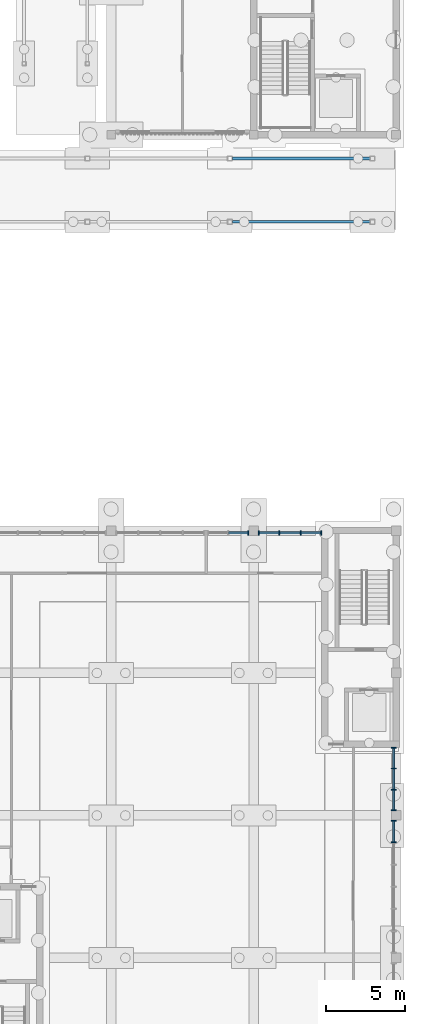
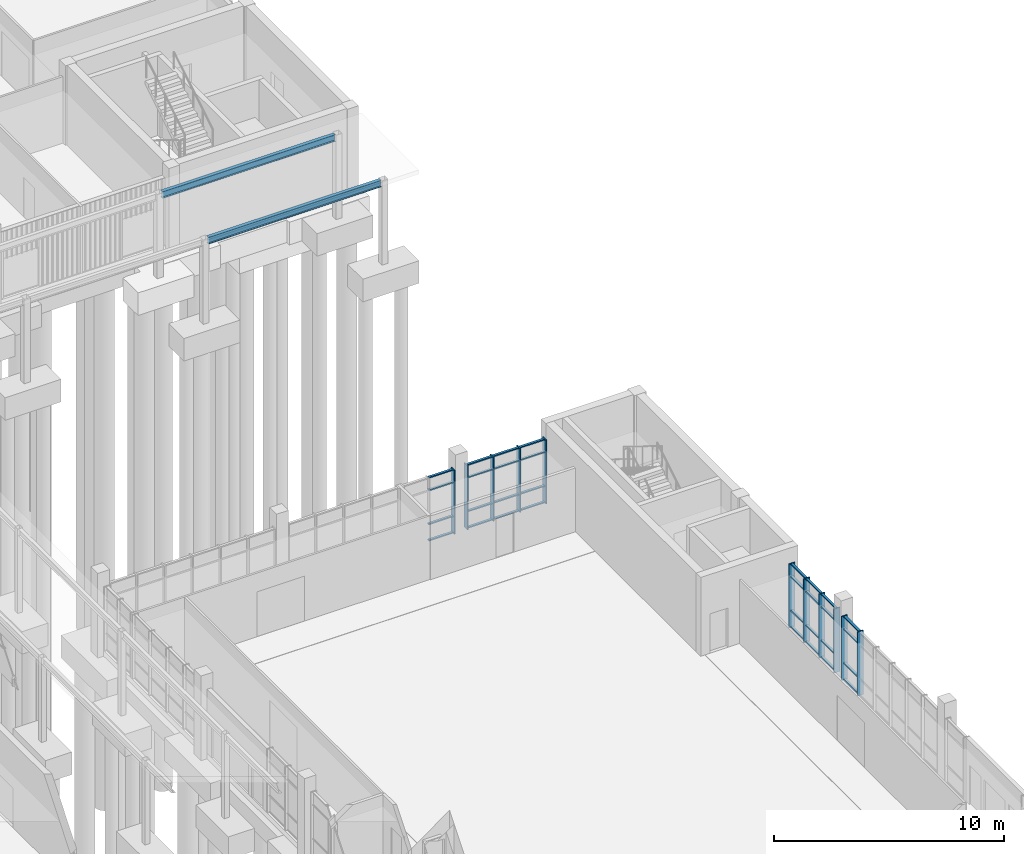
# One storey, part 37 of 106: 43 members, 2 beams, 4 elements without a shape of their own.
"""IFC4 building model written with IfcOpenShell, lengths in metres."""

import ifcopenshell
import ifcopenshell.guid

model = None  # the IFC model being written
_history = None  # IfcOwnerHistory: only IFC2X3 demands one
_inside = {}  # id of a spatial element -> (the spatial element, [elements in it])
_under = {}  # id of a project, library or spatial element -> (it, [spatial elements below it])
_declared = {}  # id of a project -> (the project, [libraries it declares])
_typed = {}  # id of a type object -> (the type object, [elements of that type])
_made_of = {}  # id of a material, layer set ... -> (it, [elements and type objects made of it])


def new_model(schema):
    """Start an empty IFC model of exactly this schema.

    Asked for "IFC4X3", IfcOpenShell would pick the latest addendum, in which some entities
    have other attributes; the version numbers below select the first issue.
    IFC2X3 requires an IfcOwnerHistory on every rooted entity: one is made here for all.
    """
    global model, _history
    if schema == "IFC4X3":
        model = ifcopenshell.file(schema_version=(4, 3, 0, 0))
    else:
        model = ifcopenshell.file(schema=schema)
    _inside.clear()
    _under.clear()
    _declared.clear()
    _typed.clear()
    _made_of.clear()
    _history = None
    if model.schema == "IFC2X3":
        org = make("IfcOrganization", Name="unknown")
        user = make(
            "IfcPersonAndOrganization",
            ThePerson=make("IfcPerson", FamilyName="unknown"),
            TheOrganization=org,
        )
        app = make(
            "IfcApplication",
            ApplicationDeveloper=org,
            Version="unknown",
            ApplicationFullName="unknown",
            ApplicationIdentifier="unknown",
        )
        _history = make(
            "IfcOwnerHistory",
            OwningUser=user,
            OwningApplication=app,
            ChangeAction="ADDED",
            CreationDate=0,
        )
    return model


def make(cls, **values):
    """One entity of the class cls with the attributes given. An attribute that is None is left unset."""
    return model.create_entity(
        cls, **{name: value for name, value in values.items() if value is not None}
    )


def rooted(cls, **values):
    """An entity with a GlobalId (a new one), such as an element, a storey or a relation."""
    return make(cls, GlobalId=ifcopenshell.guid.new(), OwnerHistory=_history, **values)


def si_unit(unit_type, name, prefix=None):
    """IfcSIUnit, for example si_unit("LENGTHUNIT", "METRE", prefix="MILLI")."""
    return make("IfcSIUnit", UnitType=unit_type, Prefix=prefix, Name=name)


def assignment(units):
    """IfcUnitAssignment: the units of a project."""
    return None if units is None else make("IfcUnitAssignment", Units=units)


def point(xyz):
    """IfcCartesianPoint."""
    return None if xyz is None else make("IfcCartesianPoint", Coordinates=xyz)


def direction(xyz):
    """IfcDirection."""
    return None if xyz is None else make("IfcDirection", DirectionRatios=xyz)


def frame(location, z_axis=None, x_axis=None):
    """IfcAxis2Placement3D, a coordinate frame: its origin and axes. An axis left out is left unset."""
    return make(
        "IfcAxis2Placement3D",
        Location=point(location),
        Axis=direction(z_axis),
        RefDirection=direction(x_axis),
    )


def frame_2d(location, x_axis=None):
    """IfcAxis2Placement2D, a coordinate frame in the plane: its origin and x axis."""
    return make(
        "IfcAxis2Placement2D", Location=point(location), RefDirection=direction(x_axis)
    )


def origin():
    """The frame at (0, 0, 0) with its axes left unset."""
    return frame((0.0, 0.0, 0.0))


def origin_2d():
    """The frame at (0, 0) in the plane with its x axis left unset."""
    return frame_2d((0.0, 0.0))


def place(relative_to, where):
    """IfcLocalPlacement: puts the frame where relative to a parent placement (None: the world)."""
    return make(
        "IfcLocalPlacement", PlacementRelTo=relative_to, RelativePlacement=where
    )


def context(
    kind, dimensions, precision=None, world=None, true_north=None, identifier=None
):
    """IfcGeometricRepresentationContext, for example the 3D "Model" context."""
    return make(
        "IfcGeometricRepresentationContext",
        ContextIdentifier=identifier,
        ContextType=kind,
        CoordinateSpaceDimension=dimensions,
        Precision=precision,
        WorldCoordinateSystem=world,
        TrueNorth=true_north,
    )


def subcontext(parent, identifier, kind, view, scale=None):
    """IfcGeometricRepresentationSubContext, for example "Body" below "Model"."""
    return make(
        "IfcGeometricRepresentationSubContext",
        ContextIdentifier=identifier,
        ContextType=kind,
        ParentContext=parent,
        TargetScale=scale,
        TargetView=view,
    )


def project(units=None, contexts=None):
    """IfcProject with its units and contexts."""
    return rooted(
        "IfcProject",
        Name="project",
        RepresentationContexts=contexts,
        UnitsInContext=assignment(units),
    )


def spatial(cls, under=None, at=None, **own):
    """A site, building, storey or space (cls), placed at a placement, below another one or the project."""
    s = rooted(cls, ObjectPlacement=at, **own)
    if under is not None:
        _under.setdefault(under.id(), (under, []))[1].append(s)
    return s


def profile(cls, at=None, kind="AREA", **sizes):
    """A parametric profile (cls). Its sizes go by their IFC names, for example OverallWidth=200.0."""
    return make(cls, ProfileType=kind, Position=at, **sizes)


def rectangle(**sizes):
    """IfcRectangleProfileDef."""
    return profile("IfcRectangleProfileDef", **sizes)


def i_section(**sizes):
    """IfcIShapeProfileDef."""
    return profile("IfcIShapeProfileDef", **sizes)


def extrude(swept, where, along, depth):
    """IfcExtrudedAreaSolid: the profile swept, set in the frame where, extruded along a direction by depth."""
    return make(
        "IfcExtrudedAreaSolid",
        SweptArea=swept,
        Position=where,
        ExtrudedDirection=direction(along),
        Depth=depth,
    )


def shape(context_of_items, identifier, shape_type, items):
    """IfcShapeRepresentation: the items that make up one representation, for example the "Body"."""
    return make(
        "IfcShapeRepresentation",
        ContextOfItems=context_of_items,
        RepresentationIdentifier=identifier,
        RepresentationType=shape_type,
        Items=items,
    )


def material(Name=None, Category=None):
    """IfcMaterial."""
    return make("IfcMaterial", Name=Name, Category=Category)


def material_profile(
    of_material, cross_section, Name=None, Category=None, Priority=None
):
    """IfcMaterialProfile: a cross section and its material."""
    return make(
        "IfcMaterialProfile",
        Name=Name,
        Material=of_material,
        Profile=cross_section,
        Priority=Priority,
        Category=Category,
    )


def profile_set(profiles, Name=None, composite=None):
    """IfcMaterialProfileSet."""
    return make(
        "IfcMaterialProfileSet",
        Name=Name,
        MaterialProfiles=profiles,
        CompositeProfile=composite,
    )


def made_of(thing, what):
    """Note that an element or type object is made of a material, layer set ...; save() writes the relation."""
    if what is not None:
        _made_of.setdefault(what.id(), (what, []))[1].append(thing)
    return thing


def type_object(cls, material=None, **own):
    """A type object (cls), such as IfcWallType, which elements share."""
    return made_of(rooted(cls, **own), material)


def element(
    cls,
    number,
    at=None,
    inside=None,
    cuts=None,
    type_object=None,
    material=None,
    context=None,
    identifier="Body",
    shape_type=None,
    held_by="IfcProductDefinitionShape",
    body=None,
    shapes=None,
    **own,
):
    """One element of the class cls, such as IfcWall. Its Tag is "e" and its number.

    at: its placement. inside: the storey or other place that contains it. cuts: it is an
    opening in that element (IfcRelVoidsElement). A single representation is given by context,
    identifier, shape_type and body (its items); several are given by shapes. held_by: the class
    of the entity that holds the representations. save() writes the other relations.
    """
    e = rooted(cls, Tag="e%d" % number, ObjectPlacement=at, **own)
    if body is not None:
        shapes = [shape(context, identifier, shape_type, body)]
    if shapes is not None:
        e.Representation = make(held_by, Representations=shapes)
    if inside is not None:
        _inside.setdefault(inside.id(), (inside, []))[1].append(e)
    if cuts is not None:
        rooted(
            "IfcRelVoidsElement", RelatingBuildingElement=cuts, RelatedOpeningElement=e
        )
    if type_object is not None:
        _typed.setdefault(type_object.id(), (type_object, []))[1].append(e)
    return made_of(e, material)


def aggregate(whole, parts):
    """IfcRelAggregates: a whole, such as a stair, and the parts it consists of."""
    return rooted("IfcRelAggregates", RelatingObject=whole, RelatedObjects=parts)


def save(model, path):
    """Write the relations noted so far, then the file.

    IfcRelAggregates (storeys below a building ...), IfcRelContainedInSpatialStructure (elements
    in a storey), IfcRelDefinesByType, IfcRelAssociatesMaterial and IfcRelDeclares: one each for
    every whole, place, type object, material and project.
    """
    for whole, parts in _under.values():
        aggregate(whole, parts)
    for where, things in _inside.values():
        rooted(
            "IfcRelContainedInSpatialStructure",
            RelatedElements=things,
            RelatingStructure=where,
        )
    for kind, things in _typed.values():
        rooted("IfcRelDefinesByType", RelatedObjects=things, RelatingType=kind)
    for what, things in _made_of.values():
        rooted("IfcRelAssociatesMaterial", RelatedObjects=things, RelatingMaterial=what)
    for by, libraries in _declared.values():
        rooted("IfcRelDeclares", RelatingContext=by, RelatedDefinitions=libraries)
    model.write(path)


model = new_model("IFC4")

# Units and contexts
model_context = context("Model", 3, precision=1e-05, world=origin(), true_north=direction((0.0, 1.0)))
body_context = subcontext(model_context, "Body", "Model", "MODEL_VIEW")
ifc_project = project(units=[si_unit("LENGTHUNIT", "METRE"), si_unit("AREAUNIT", "SQUARE_METRE"), si_unit("VOLUMEUNIT", "CUBIC_METRE"), si_unit("PLANEANGLEUNIT", "RADIAN"), si_unit("MASSUNIT", "GRAM", prefix="KILO")], contexts=[model_context])

# Site, building, storey
site_placement = place(None, origin())
site = spatial("IfcSite", under=ifc_project, at=site_placement, CompositionType="ELEMENT")
building_placement = place(site_placement, origin())
building = spatial("IfcBuilding", under=site, at=building_placement, Name="Merrow Basin Faculty of Sciences", CompositionType="ELEMENT")
storey_placement = place(building_placement, origin())
storey = spatial("IfcBuildingStorey", under=building, at=storey_placement, Name="L00", CompositionType="ELEMENT", Elevation=0.0)

# Curtain wall, member
ifc_material_1 = material(Name="Aluminium alloy 6063", Category="aluminium")
curtain_wall_type = type_object("IfcCurtainWallType", Name="Atrium concourse curtain wall 300", PredefinedType="NOTDEFINED", material=ifc_material_1)
curtain_wall_1_placement = place(storey_placement, origin())
curtain_wall_1 = element("IfcCurtainWall", 1, at=curtain_wall_1_placement, inside=storey, type_object=curtain_wall_type, Name="N curtain wall L00 3", PredefinedType="NOTDEFINED")
ifc_material_2 = material(Name="Aluminium alloy 6063", Category="aluminium")
ifc_material_profile_1 = material_profile(ifc_material_2, rectangle(XDim=0.300048828125, YDim=0.06005859375, at=origin_2d()))
ifc_profile_set_1 = profile_set([ifc_material_profile_1], Name="Aluminium alloy 6063")
member_type_1 = type_object("IfcMemberType", Name="Aluminium mullion 60x300", PredefinedType="MULLION", material=ifc_profile_set_1)
member_1_placement = place(storey_placement, frame((62.669921875, 35.85009765625, 0.0), z_axis=(0.0, 0.0, 1.0), x_axis=(0.0, 1.0, 0.0)))
member_1 = element("IfcMember", 2, at=member_1_placement, type_object=member_type_1, Name="CW6 mullion 3", PredefinedType="MULLION", context=body_context, shape_type="SweptSolid", body=[
    extrude(rectangle(XDim=0.300048828125, YDim=0.06005859375, at=origin_2d()), origin(), (0.0, 0.0, 1.0), 3.39990234375),
])

# Curtain wall, members
curtain_wall_2_placement = place(storey_placement, origin())
curtain_wall_2 = element("IfcCurtainWall", 3, at=curtain_wall_2_placement, inside=storey, type_object=curtain_wall_type, Name="N curtain wall L00 4", PredefinedType="NOTDEFINED")
member_2_placement = place(storey_placement, frame((63.330078125, 35.85009765625, 0.0), z_axis=(0.0, 0.0, 1.0), x_axis=(0.0, 1.0, 0.0)))
member_2 = element("IfcMember", 4, at=member_2_placement, type_object=member_type_1, Name="CW6 mullion 1", PredefinedType="MULLION", context=body_context, shape_type="SweptSolid", body=[
    extrude(rectangle(XDim=0.300048828125, YDim=0.06005859375, at=origin_2d()), origin(), (0.0, 0.0, 1.0), 3.39990234375),
])
member_3_placement = place(storey_placement, frame((64.63330078125, 35.85009765625, 0.0), z_axis=(0.0, 0.0, 1.0), x_axis=(0.0, 1.0, 0.0)))
member_3 = element("IfcMember", 5, at=member_3_placement, type_object=member_type_1, Name="CW6 mullion 2", PredefinedType="MULLION", context=body_context, shape_type="SweptSolid", body=[
    extrude(rectangle(XDim=0.300048828125, YDim=0.06005859375, at=origin_2d()), origin(), (0.0, 0.0, 1.0), 3.39990234375),
])
member_4_placement = place(storey_placement, frame((65.966552734375, 35.85009765625, 0.0), z_axis=(0.0, 0.0, 1.0), x_axis=(0.0, 1.0, 0.0)))
member_4 = element("IfcMember", 6, at=member_4_placement, type_object=member_type_1, Name="CW6 mullion 3", PredefinedType="MULLION", context=body_context, shape_type="SweptSolid", body=[
    extrude(rectangle(XDim=0.300048828125, YDim=0.06005859375, at=origin_2d()), origin(), (0.0, 0.0, 1.0), 3.39990234375),
])
member_5_placement = place(storey_placement, frame((67.27001953125, 35.85009765625, 0.0), z_axis=(0.0, 0.0, 1.0), x_axis=(0.0, 1.0, 0.0)))
member_5 = element("IfcMember", 7, at=member_5_placement, type_object=member_type_1, Name="CW6 mullion 4", PredefinedType="MULLION", context=body_context, shape_type="SweptSolid", body=[
    extrude(rectangle(XDim=0.300048828125, YDim=0.06005859375, at=origin_2d()), origin(), (0.0, 0.0, 1.0), 3.39990234375),
])

curtain_wall_3_placement = place(storey_placement, origin())
curtain_wall_3 = element("IfcCurtainWall", 8, at=curtain_wall_3_placement, inside=storey, type_object=curtain_wall_type, Name="E curtain wall L00 3", PredefinedType="NOTDEFINED")
member_6_placement = place(storey_placement, frame((71.85009765625, 16.300048828125, 0.0), z_axis=(0.0, 0.0, 1.0), x_axis=(-1.0, 0.0, 0.0)))
member_6 = element("IfcMember", 9, at=member_6_placement, type_object=member_type_1, Name="CW6 mullion 6", PredefinedType="MULLION", context=body_context, shape_type="SweptSolid", body=[
    extrude(rectangle(XDim=0.300048828125, YDim=0.06005859375, at=origin_2d()), origin(), (0.0, 0.0, 1.0), 3.39990234375),
])
member_7_placement = place(storey_placement, frame((71.85009765625, 17.669921875, 0.0), z_axis=(0.0, 0.0, 1.0), x_axis=(-1.0, 0.0, 0.0)))
member_7 = element("IfcMember", 10, at=member_7_placement, type_object=member_type_1, Name="CW6 mullion 7", PredefinedType="MULLION", context=body_context, shape_type="SweptSolid", body=[
    extrude(rectangle(XDim=0.300048828125, YDim=0.06005859375, at=origin_2d()), origin(), (0.0, 0.0, 1.0), 3.39990234375),
])

curtain_wall_4_placement = place(storey_placement, origin())
curtain_wall_4 = element("IfcCurtainWall", 11, at=curtain_wall_4_placement, inside=storey, type_object=curtain_wall_type, Name="E curtain wall L00 4", PredefinedType="NOTDEFINED")
member_8_placement = place(storey_placement, frame((71.85009765625, 18.330078125, 0.0), z_axis=(0.0, 0.0, 1.0), x_axis=(-1.0, 0.0, 0.0)))
member_8 = element("IfcMember", 12, at=member_8_placement, type_object=member_type_1, Name="CW6 mullion 1", PredefinedType="MULLION", context=body_context, shape_type="SweptSolid", body=[
    extrude(rectangle(XDim=0.300048828125, YDim=0.06005859375, at=origin_2d()), origin(), (0.0, 0.0, 1.0), 3.39990234375),
])
member_9_placement = place(storey_placement, frame((71.85009765625, 19.63330078125, 0.0), z_axis=(0.0, 0.0, 1.0), x_axis=(-1.0, 0.0, 0.0)))
member_9 = element("IfcMember", 13, at=member_9_placement, type_object=member_type_1, Name="CW6 mullion 2", PredefinedType="MULLION", context=body_context, shape_type="SweptSolid", body=[
    extrude(rectangle(XDim=0.300048828125, YDim=0.06005859375, at=origin_2d()), origin(), (0.0, 0.0, 1.0), 3.39990234375),
])
member_10_placement = place(storey_placement, frame((71.85009765625, 20.966552734375, 0.0), z_axis=(0.0, 0.0, 1.0), x_axis=(-1.0, 0.0, 0.0)))
member_10 = element("IfcMember", 14, at=member_10_placement, type_object=member_type_1, Name="CW6 mullion 3", PredefinedType="MULLION", context=body_context, shape_type="SweptSolid", body=[
    extrude(rectangle(XDim=0.300048828125, YDim=0.06005859375, at=origin_2d()), origin(), (0.0, 0.0, 1.0), 3.39990234375),
])
member_11_placement = place(storey_placement, frame((71.85009765625, 22.27001953125, 0.0), z_axis=(0.0, 0.0, 1.0), x_axis=(-1.0, 0.0, 0.0)))
member_11 = element("IfcMember", 15, at=member_11_placement, type_object=member_type_1, Name="CW6 mullion 4", PredefinedType="MULLION", context=body_context, shape_type="SweptSolid", body=[
    extrude(rectangle(XDim=0.300048828125, YDim=0.06005859375, at=origin_2d()), origin(), (0.0, 0.0, 1.0), 3.39990234375),
])

# Member
ifc_material_3 = material(Name="Aluminium alloy 6063", Category="aluminium")
ifc_material_profile_2 = material_profile(ifc_material_3, rectangle(XDim=0.1201171875, YDim=0.06005859375, at=origin_2d()))
ifc_profile_set_2 = profile_set([ifc_material_profile_2], Name="Aluminium alloy 6063")
member_type_2 = type_object("IfcMemberType", Name="Aluminium transom 60x120", PredefinedType="USERDEFINED", material=ifc_profile_set_2)
member_12_placement = place(storey_placement, frame((61.41748046875, 35.85009765625, 0.030029296875), z_axis=(1.0, 0.0, 0.0), x_axis=(0.0, 1.0, 0.0)))
member_12 = element("IfcMember", 16, at=member_12_placement, type_object=member_type_2, Name="CW6 transom 2.1", ObjectType="TRANSOM", PredefinedType="USERDEFINED", context=body_context, shape_type="SweptSolid", body=[
    extrude(rectangle(XDim=0.1201171875, YDim=0.06005859375, at=origin_2d()), origin(), (0.0, 0.0, 1.0), 1.222412109375),
])

member_13_placement = place(storey_placement, frame((61.41748046875, 35.85009765625, 0.89990234375), z_axis=(1.0, 0.0, 0.0), x_axis=(0.0, 1.0, 0.0)))
member_13 = element("IfcMember", 17, at=member_13_placement, type_object=member_type_2, Name="CW6 transom 2.2", ObjectType="TRANSOM", PredefinedType="USERDEFINED", context=body_context, shape_type="SweptSolid", body=[
    extrude(rectangle(XDim=0.1201171875, YDim=0.06005859375, at=origin_2d()), origin(), (0.0, 0.0, 1.0), 1.222412109375),
])

member_14_placement = place(storey_placement, frame((61.41748046875, 35.85009765625, 2.699951171875), z_axis=(1.0, 0.0, 0.0), x_axis=(0.0, 1.0, 0.0)))
member_14 = element("IfcMember", 18, at=member_14_placement, type_object=member_type_2, Name="CW6 transom 2.3", ObjectType="TRANSOM", PredefinedType="USERDEFINED", context=body_context, shape_type="SweptSolid", body=[
    extrude(rectangle(XDim=0.1201171875, YDim=0.06005859375, at=origin_2d()), origin(), (0.0, 0.0, 1.0), 1.222412109375),
])

member_15_placement = place(storey_placement, frame((61.41748046875, 35.85009765625, 3.3701171875), z_axis=(1.0, 0.0, 0.0), x_axis=(0.0, 1.0, 0.0)))
member_15 = element("IfcMember", 19, at=member_15_placement, type_object=member_type_2, Name="CW6 transom 2.4", ObjectType="TRANSOM", PredefinedType="USERDEFINED", context=body_context, shape_type="SweptSolid", body=[
    extrude(rectangle(XDim=0.1201171875, YDim=0.06005859375, at=origin_2d()), origin(), (0.0, 0.0, 1.0), 1.222412109375),
])

aggregate(curtain_wall_1, [member_1, member_12, member_13, member_14, member_15])

member_16_placement = place(storey_placement, frame((63.360107421875, 35.85009765625, 0.030029296875), z_axis=(1.0, 0.0, 0.0), x_axis=(0.0, 1.0, 0.0)))
member_16 = element("IfcMember", 20, at=member_16_placement, type_object=member_type_2, Name="CW6 transom 1.1", ObjectType="TRANSOM", PredefinedType="USERDEFINED", context=body_context, shape_type="SweptSolid", body=[
    extrude(rectangle(XDim=0.1201171875, YDim=0.06005859375, at=origin_2d()), origin(), (0.0, 0.0, 1.0), 1.2431640625),
])

member_17_placement = place(storey_placement, frame((63.360107421875, 35.85009765625, 0.89990234375), z_axis=(1.0, 0.0, 0.0), x_axis=(0.0, 1.0, 0.0)))
member_17 = element("IfcMember", 21, at=member_17_placement, type_object=member_type_2, Name="CW6 transom 1.2", ObjectType="TRANSOM", PredefinedType="USERDEFINED", context=body_context, shape_type="SweptSolid", body=[
    extrude(rectangle(XDim=0.1201171875, YDim=0.06005859375, at=origin_2d()), origin(), (0.0, 0.0, 1.0), 1.2431640625),
])

member_18_placement = place(storey_placement, frame((63.360107421875, 35.85009765625, 2.699951171875), z_axis=(1.0, 0.0, 0.0), x_axis=(0.0, 1.0, 0.0)))
member_18 = element("IfcMember", 22, at=member_18_placement, type_object=member_type_2, Name="CW6 transom 1.3", ObjectType="TRANSOM", PredefinedType="USERDEFINED", context=body_context, shape_type="SweptSolid", body=[
    extrude(rectangle(XDim=0.1201171875, YDim=0.06005859375, at=origin_2d()), origin(), (0.0, 0.0, 1.0), 1.2431640625),
])

member_19_placement = place(storey_placement, frame((63.360107421875, 35.85009765625, 3.3701171875), z_axis=(1.0, 0.0, 0.0), x_axis=(0.0, 1.0, 0.0)))
member_19 = element("IfcMember", 23, at=member_19_placement, type_object=member_type_2, Name="CW6 transom 1.4", ObjectType="TRANSOM", PredefinedType="USERDEFINED", context=body_context, shape_type="SweptSolid", body=[
    extrude(rectangle(XDim=0.1201171875, YDim=0.06005859375, at=origin_2d()), origin(), (0.0, 0.0, 1.0), 1.2431640625),
])

member_20_placement = place(storey_placement, frame((64.663330078125, 35.85009765625, 0.030029296875), z_axis=(1.0, 0.0, 0.0), x_axis=(0.0, 1.0, 0.0)))
member_20 = element("IfcMember", 24, at=member_20_placement, type_object=member_type_2, Name="CW6 transom 2.1", ObjectType="TRANSOM", PredefinedType="USERDEFINED", context=body_context, shape_type="SweptSolid", body=[
    extrude(rectangle(XDim=0.1201171875, YDim=0.06005859375, at=origin_2d()), origin(), (0.0, 0.0, 1.0), 1.2734375),
])

member_21_placement = place(storey_placement, frame((64.663330078125, 35.85009765625, 0.89990234375), z_axis=(1.0, 0.0, 0.0), x_axis=(0.0, 1.0, 0.0)))
member_21 = element("IfcMember", 25, at=member_21_placement, type_object=member_type_2, Name="CW6 transom 2.2", ObjectType="TRANSOM", PredefinedType="USERDEFINED", context=body_context, shape_type="SweptSolid", body=[
    extrude(rectangle(XDim=0.1201171875, YDim=0.06005859375, at=origin_2d()), origin(), (0.0, 0.0, 1.0), 1.2734375),
])

member_22_placement = place(storey_placement, frame((64.663330078125, 35.85009765625, 2.699951171875), z_axis=(1.0, 0.0, 0.0), x_axis=(0.0, 1.0, 0.0)))
member_22 = element("IfcMember", 26, at=member_22_placement, type_object=member_type_2, Name="CW6 transom 2.3", ObjectType="TRANSOM", PredefinedType="USERDEFINED", context=body_context, shape_type="SweptSolid", body=[
    extrude(rectangle(XDim=0.1201171875, YDim=0.06005859375, at=origin_2d()), origin(), (0.0, 0.0, 1.0), 1.2734375),
])

member_23_placement = place(storey_placement, frame((64.663330078125, 35.85009765625, 3.3701171875), z_axis=(1.0, 0.0, 0.0), x_axis=(0.0, 1.0, 0.0)))
member_23 = element("IfcMember", 27, at=member_23_placement, type_object=member_type_2, Name="CW6 transom 2.4", ObjectType="TRANSOM", PredefinedType="USERDEFINED", context=body_context, shape_type="SweptSolid", body=[
    extrude(rectangle(XDim=0.1201171875, YDim=0.06005859375, at=origin_2d()), origin(), (0.0, 0.0, 1.0), 1.2734375),
])

member_24_placement = place(storey_placement, frame((65.99658203125, 35.85009765625, 0.030029296875), z_axis=(1.0, 0.0, 0.0), x_axis=(0.0, 1.0, 0.0)))
member_24 = element("IfcMember", 28, at=member_24_placement, type_object=member_type_2, Name="CW6 transom 3.1", ObjectType="TRANSOM", PredefinedType="USERDEFINED", context=body_context, shape_type="SweptSolid", body=[
    extrude(rectangle(XDim=0.1201171875, YDim=0.06005859375, at=origin_2d()), origin(), (0.0, 0.0, 1.0), 1.243408203125),
])

member_25_placement = place(storey_placement, frame((65.99658203125, 35.85009765625, 0.89990234375), z_axis=(1.0, 0.0, 0.0), x_axis=(0.0, 1.0, 0.0)))
member_25 = element("IfcMember", 29, at=member_25_placement, type_object=member_type_2, Name="CW6 transom 3.2", ObjectType="TRANSOM", PredefinedType="USERDEFINED", context=body_context, shape_type="SweptSolid", body=[
    extrude(rectangle(XDim=0.1201171875, YDim=0.06005859375, at=origin_2d()), origin(), (0.0, 0.0, 1.0), 1.243408203125),
])

member_26_placement = place(storey_placement, frame((65.99658203125, 35.85009765625, 2.699951171875), z_axis=(1.0, 0.0, 0.0), x_axis=(0.0, 1.0, 0.0)))
member_26 = element("IfcMember", 30, at=member_26_placement, type_object=member_type_2, Name="CW6 transom 3.3", ObjectType="TRANSOM", PredefinedType="USERDEFINED", context=body_context, shape_type="SweptSolid", body=[
    extrude(rectangle(XDim=0.1201171875, YDim=0.06005859375, at=origin_2d()), origin(), (0.0, 0.0, 1.0), 1.243408203125),
])

member_27_placement = place(storey_placement, frame((65.99658203125, 35.85009765625, 3.3701171875), z_axis=(1.0, 0.0, 0.0), x_axis=(0.0, 1.0, 0.0)))
member_27 = element("IfcMember", 31, at=member_27_placement, type_object=member_type_2, Name="CW6 transom 3.4", ObjectType="TRANSOM", PredefinedType="USERDEFINED", context=body_context, shape_type="SweptSolid", body=[
    extrude(rectangle(XDim=0.1201171875, YDim=0.06005859375, at=origin_2d()), origin(), (0.0, 0.0, 1.0), 1.243408203125),
])

aggregate(curtain_wall_2, [member_2, member_3, member_4, member_5, member_16, member_17, member_18, member_19, member_20, member_21, member_22, member_23, member_24, member_25, member_26, member_27])

member_28_placement = place(storey_placement, frame((71.85009765625, 16.330078125, 0.030029296875), z_axis=(0.0, 1.0, 0.0), x_axis=(-1.0, 0.0, 0.0)))
member_28 = element("IfcMember", 32, at=member_28_placement, type_object=member_type_2, Name="CW6 transom 6.1", ObjectType="TRANSOM", PredefinedType="USERDEFINED", context=body_context, shape_type="SweptSolid", body=[
    extrude(rectangle(XDim=0.1201171875, YDim=0.06005859375, at=origin_2d()), origin(), (0.0, 0.0, 1.0), 1.309814453125),
])

member_29_placement = place(storey_placement, frame((71.85009765625, 16.330078125, 0.89990234375), z_axis=(0.0, 1.0, 0.0), x_axis=(-1.0, 0.0, 0.0)))
member_29 = element("IfcMember", 33, at=member_29_placement, type_object=member_type_2, Name="CW6 transom 6.2", ObjectType="TRANSOM", PredefinedType="USERDEFINED", context=body_context, shape_type="SweptSolid", body=[
    extrude(rectangle(XDim=0.1201171875, YDim=0.06005859375, at=origin_2d()), origin(), (0.0, 0.0, 1.0), 1.309814453125),
])

member_30_placement = place(storey_placement, frame((71.85009765625, 16.330078125, 2.699951171875), z_axis=(0.0, 1.0, 0.0), x_axis=(-1.0, 0.0, 0.0)))
member_30 = element("IfcMember", 34, at=member_30_placement, type_object=member_type_2, Name="CW6 transom 6.3", ObjectType="TRANSOM", PredefinedType="USERDEFINED", context=body_context, shape_type="SweptSolid", body=[
    extrude(rectangle(XDim=0.1201171875, YDim=0.06005859375, at=origin_2d()), origin(), (0.0, 0.0, 1.0), 1.309814453125),
])

member_31_placement = place(storey_placement, frame((71.85009765625, 16.330078125, 3.3701171875), z_axis=(0.0, 1.0, 0.0), x_axis=(-1.0, 0.0, 0.0)))
member_31 = element("IfcMember", 35, at=member_31_placement, type_object=member_type_2, Name="CW6 transom 6.4", ObjectType="TRANSOM", PredefinedType="USERDEFINED", context=body_context, shape_type="SweptSolid", body=[
    extrude(rectangle(XDim=0.1201171875, YDim=0.06005859375, at=origin_2d()), origin(), (0.0, 0.0, 1.0), 1.309814453125),
])

aggregate(curtain_wall_3, [member_6, member_7, member_28, member_29, member_30, member_31])

member_32_placement = place(storey_placement, frame((71.85009765625, 18.360107421875, 0.030029296875), z_axis=(0.0, 1.0, 0.0), x_axis=(-1.0, 0.0, 0.0)))
member_32 = element("IfcMember", 36, at=member_32_placement, type_object=member_type_2, Name="CW6 transom 1.1", ObjectType="TRANSOM", PredefinedType="USERDEFINED", context=body_context, shape_type="SweptSolid", body=[
    extrude(rectangle(XDim=0.1201171875, YDim=0.06005859375, at=origin_2d()), origin(), (0.0, 0.0, 1.0), 1.2431640625),
])

member_33_placement = place(storey_placement, frame((71.85009765625, 18.360107421875, 0.89990234375), z_axis=(0.0, 1.0, 0.0), x_axis=(-1.0, 0.0, 0.0)))
member_33 = element("IfcMember", 37, at=member_33_placement, type_object=member_type_2, Name="CW6 transom 1.2", ObjectType="TRANSOM", PredefinedType="USERDEFINED", context=body_context, shape_type="SweptSolid", body=[
    extrude(rectangle(XDim=0.1201171875, YDim=0.06005859375, at=origin_2d()), origin(), (0.0, 0.0, 1.0), 1.2431640625),
])

member_34_placement = place(storey_placement, frame((71.85009765625, 18.360107421875, 2.699951171875), z_axis=(0.0, 1.0, 0.0), x_axis=(-1.0, 0.0, 0.0)))
member_34 = element("IfcMember", 38, at=member_34_placement, type_object=member_type_2, Name="CW6 transom 1.3", ObjectType="TRANSOM", PredefinedType="USERDEFINED", context=body_context, shape_type="SweptSolid", body=[
    extrude(rectangle(XDim=0.1201171875, YDim=0.06005859375, at=origin_2d()), origin(), (0.0, 0.0, 1.0), 1.2431640625),
])

member_35_placement = place(storey_placement, frame((71.85009765625, 18.360107421875, 3.3701171875), z_axis=(0.0, 1.0, 0.0), x_axis=(-1.0, 0.0, 0.0)))
member_35 = element("IfcMember", 39, at=member_35_placement, type_object=member_type_2, Name="CW6 transom 1.4", ObjectType="TRANSOM", PredefinedType="USERDEFINED", context=body_context, shape_type="SweptSolid", body=[
    extrude(rectangle(XDim=0.1201171875, YDim=0.06005859375, at=origin_2d()), origin(), (0.0, 0.0, 1.0), 1.2431640625),
])

member_36_placement = place(storey_placement, frame((71.85009765625, 19.663330078125, 0.030029296875), z_axis=(0.0, 1.0, 0.0), x_axis=(-1.0, 0.0, 0.0)))
member_36 = element("IfcMember", 40, at=member_36_placement, type_object=member_type_2, Name="CW6 transom 2.1", ObjectType="TRANSOM", PredefinedType="USERDEFINED", context=body_context, shape_type="SweptSolid", body=[
    extrude(rectangle(XDim=0.1201171875, YDim=0.06005859375, at=origin_2d()), origin(), (0.0, 0.0, 1.0), 1.2734375),
])

member_37_placement = place(storey_placement, frame((71.85009765625, 19.663330078125, 0.89990234375), z_axis=(0.0, 1.0, 0.0), x_axis=(-1.0, 0.0, 0.0)))
member_37 = element("IfcMember", 41, at=member_37_placement, type_object=member_type_2, Name="CW6 transom 2.2", ObjectType="TRANSOM", PredefinedType="USERDEFINED", context=body_context, shape_type="SweptSolid", body=[
    extrude(rectangle(XDim=0.1201171875, YDim=0.06005859375, at=origin_2d()), origin(), (0.0, 0.0, 1.0), 1.2734375),
])

member_38_placement = place(storey_placement, frame((71.85009765625, 19.663330078125, 2.699951171875), z_axis=(0.0, 1.0, 0.0), x_axis=(-1.0, 0.0, 0.0)))
member_38 = element("IfcMember", 42, at=member_38_placement, type_object=member_type_2, Name="CW6 transom 2.3", ObjectType="TRANSOM", PredefinedType="USERDEFINED", context=body_context, shape_type="SweptSolid", body=[
    extrude(rectangle(XDim=0.1201171875, YDim=0.06005859375, at=origin_2d()), origin(), (0.0, 0.0, 1.0), 1.2734375),
])

member_39_placement = place(storey_placement, frame((71.85009765625, 19.663330078125, 3.3701171875), z_axis=(0.0, 1.0, 0.0), x_axis=(-1.0, 0.0, 0.0)))
member_39 = element("IfcMember", 43, at=member_39_placement, type_object=member_type_2, Name="CW6 transom 2.4", ObjectType="TRANSOM", PredefinedType="USERDEFINED", context=body_context, shape_type="SweptSolid", body=[
    extrude(rectangle(XDim=0.1201171875, YDim=0.06005859375, at=origin_2d()), origin(), (0.0, 0.0, 1.0), 1.2734375),
])

member_40_placement = place(storey_placement, frame((71.85009765625, 20.99658203125, 0.030029296875), z_axis=(0.0, 1.0, 0.0), x_axis=(-1.0, 0.0, 0.0)))
member_40 = element("IfcMember", 44, at=member_40_placement, type_object=member_type_2, Name="CW6 transom 3.1", ObjectType="TRANSOM", PredefinedType="USERDEFINED", context=body_context, shape_type="SweptSolid", body=[
    extrude(rectangle(XDim=0.1201171875, YDim=0.06005859375, at=origin_2d()), origin(), (0.0, 0.0, 1.0), 1.243408203125),
])

member_41_placement = place(storey_placement, frame((71.85009765625, 20.99658203125, 0.89990234375), z_axis=(0.0, 1.0, 0.0), x_axis=(-1.0, 0.0, 0.0)))
member_41 = element("IfcMember", 45, at=member_41_placement, type_object=member_type_2, Name="CW6 transom 3.2", ObjectType="TRANSOM", PredefinedType="USERDEFINED", context=body_context, shape_type="SweptSolid", body=[
    extrude(rectangle(XDim=0.1201171875, YDim=0.06005859375, at=origin_2d()), origin(), (0.0, 0.0, 1.0), 1.243408203125),
])

member_42_placement = place(storey_placement, frame((71.85009765625, 20.99658203125, 2.699951171875), z_axis=(0.0, 1.0, 0.0), x_axis=(-1.0, 0.0, 0.0)))
member_42 = element("IfcMember", 46, at=member_42_placement, type_object=member_type_2, Name="CW6 transom 3.3", ObjectType="TRANSOM", PredefinedType="USERDEFINED", context=body_context, shape_type="SweptSolid", body=[
    extrude(rectangle(XDim=0.1201171875, YDim=0.06005859375, at=origin_2d()), origin(), (0.0, 0.0, 1.0), 1.243408203125),
])

member_43_placement = place(storey_placement, frame((71.85009765625, 20.99658203125, 3.3701171875), z_axis=(0.0, 1.0, 0.0), x_axis=(-1.0, 0.0, 0.0)))
member_43 = element("IfcMember", 47, at=member_43_placement, type_object=member_type_2, Name="CW6 transom 3.4", ObjectType="TRANSOM", PredefinedType="USERDEFINED", context=body_context, shape_type="SweptSolid", body=[
    extrude(rectangle(XDim=0.1201171875, YDim=0.06005859375, at=origin_2d()), origin(), (0.0, 0.0, 1.0), 1.243408203125),
])

aggregate(curtain_wall_4, [member_8, member_9, member_10, member_11, member_32, member_33, member_34, member_35, member_36, member_37, member_38, member_39, member_40, member_41, member_42, member_43])

# Beams
ifc_material_4 = material(Name="Steel ASTM A992", Category="steel")
ifc_material_profile_3 = material_profile(ifc_material_4, i_section(OverallWidth=0.1708984375, OverallDepth=0.35498046875, WebThickness=0.007080078125, FlangeThickness=0.01171875, at=origin_2d()))
ifc_profile_set_3 = profile_set([ifc_material_profile_3], Name="Steel ASTM A992")
beam_type = type_object("IfcBeamType", Name="Canopy beam W360x51", PredefinedType="BEAM", material=ifc_profile_set_3)
for number, where, z_axis, x_axis, name in (
    (48, (61.653076171875, 55.5, 4.001953125), (1.0, 0.0, 0.0), (0.0, 1.0, 0.0), "CB1 L00 008"),
    (49, (61.653076171875, 59.5, 4.001953125), (1.0, 0.0, 0.0), (0.0, 1.0, 0.0), "CB1 L00 016"),
):
    element("IfcBeam", number, at=place(storey_placement, frame(where, z_axis=z_axis, x_axis=x_axis)), inside=storey, type_object=beam_type, Name=name, PredefinedType="BEAM", context=body_context, shape_type="SweptSolid", body=[
        extrude(i_section(OverallWidth=0.1708984375, OverallDepth=0.35498046875, WebThickness=0.007080078125, FlangeThickness=0.01171875, at=origin_2d()), origin(), (0.0, 0.0, 1.0), 8.69384765625),
    ])

save(model, "model.ifc")
